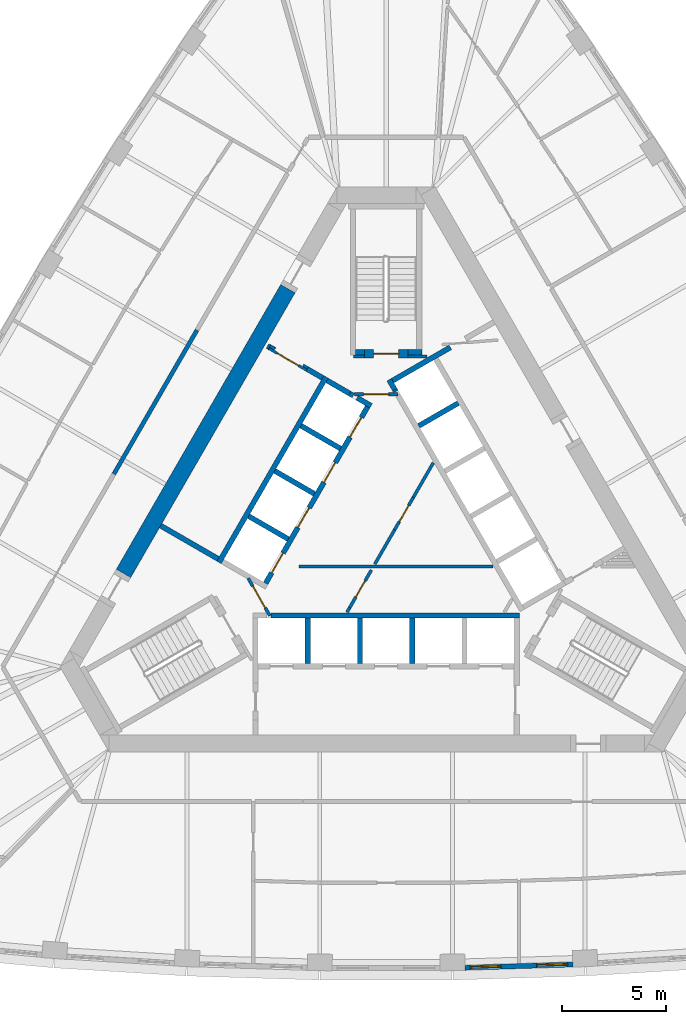
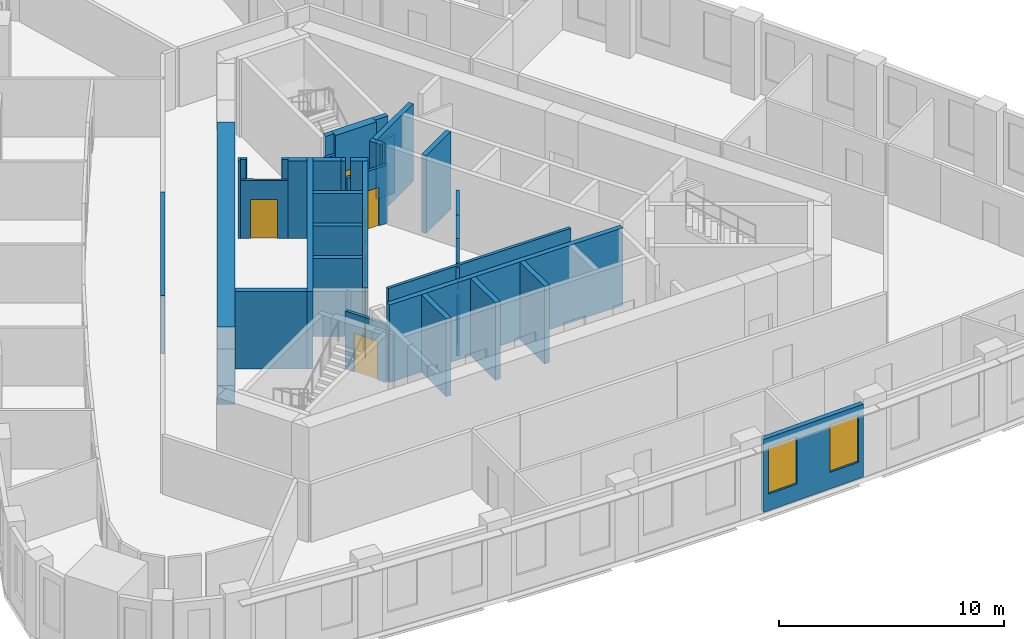
# One storey, part 5 of 11: 38 walls, 10 doors, 2 windows, 12 openings.
"""IFC4 building model written with IfcOpenShell, lengths in metres."""

from ifc_helpers import new_model, si_unit, direction, frame, frame_2d, origin, place, context, subcontext, project, spatial, polyline, rectangle, outline, extrude, material, layer, layer_set, type_object, element, fill, save


model = new_model("IFC4")

# Units and contexts
model_context = context("Model", 3, precision=1e-05, world=origin(), true_north=direction((0.0, 1.0)))
body_context = subcontext(model_context, "Body", "Model", "MODEL_VIEW")
ifc_project = project(units=[si_unit("LENGTHUNIT", "METRE"), si_unit("AREAUNIT", "SQUARE_METRE"), si_unit("VOLUMEUNIT", "CUBIC_METRE"), si_unit("PLANEANGLEUNIT", "RADIAN"), si_unit("MASSUNIT", "GRAM", prefix="KILO")], contexts=[model_context])

# Site, building, storey
site_placement = place(None, origin())
site = spatial("IfcSite", under=ifc_project, at=site_placement, CompositionType="ELEMENT")
building_placement = place(site_placement, origin())
building = spatial("IfcBuilding", under=site, at=building_placement, Name="Mestral Congress Tower", CompositionType="ELEMENT")
storey_placement = place(building_placement, frame((0.0, 0.0, 166.800048828125)))
storey = spatial("IfcBuildingStorey", under=building, at=storey_placement, Name="L39", CompositionType="ELEMENT", Elevation=166.800048828125)

# Walls
ifc_material_1 = material(Name="Fire-rated board partition")
ifc_layer_1 = layer(ifc_material_1, 0.14990234375)
ifc_layer_set_1 = layer_set([ifc_layer_1], Name="Fire-rated board partition")
wall_type_1 = type_object("IfcWallType", Name="Core partition 150", PredefinedType="PARTITIONING", material=ifc_layer_set_1)
wall_1_placement = place(storey_placement, frame((1.050048828125, 8.62548828125, 0.0), z_axis=(0.0, 0.0, 1.0), x_axis=(1.0, 0.0, 0.0)))
element("IfcWall", 1, at=wall_1_placement, inside=storey, type_object=wall_type_1, Name="L39 core wall", PredefinedType="PARTITIONING", context=body_context, shape_type="SweptSolid", body=[
    extrude(rectangle(XDim=0.9287109375, YDim=0.14990234375, at=frame_2d((0.46435546875, 0.0))), origin(), (0.0, 0.0, 1.0), 3.14990234375),
])
wall_2_placement = place(storey_placement, frame((-1.56396484375, 8.62548828125, 0.0), z_axis=(0.0, 0.0, 1.0), x_axis=(1.0, 0.0, 0.0)))
element("IfcWall", 2, at=wall_2_placement, inside=storey, type_object=wall_type_1, Name="L39 core wall", PredefinedType="PARTITIONING", context=body_context, shape_type="SweptSolid", body=[
    extrude(rectangle(XDim=0.513916015625, YDim=0.14990234375, at=frame_2d((0.2568359375, 0.0))), origin(), (0.0, 0.0, 1.0), 3.14990234375),
])
wall_3_placement = place(storey_placement, frame((-4.199951171875, -1.5, 0.0), z_axis=(0.0, 0.0, 1.0), x_axis=(1.0, 0.0, 0.0)))
element("IfcWall", 3, at=wall_3_placement, inside=storey, type_object=wall_type_1, Name="L39 core wall", PredefinedType="PARTITIONING", context=body_context, shape_type="SweptSolid", body=[
    extrude(rectangle(XDim=9.359375, YDim=0.14990234375, at=frame_2d((4.6796875, 0.0))), origin(), (0.0, 0.0, 1.0), 3.14990234375),
])
wall_4_placement = place(storey_placement, frame((-0.54443359375, -1.393310546875, 0.0), z_axis=(0.0, 0.0, 1.0), x_axis=(0.499928740635, 0.866066541489, 0.0)))
element("IfcWall", 4, at=wall_4_placement, inside=storey, type_object=wall_type_1, Name="L39 core wall", PredefinedType="PARTITIONING", context=body_context, shape_type="SweptSolid", body=[
    extrude(rectangle(XDim=1.912353515625, YDim=0.14990234375, at=frame_2d((0.9560546875, 0.0))), origin(), (0.0, 0.0, 1.0), 3.14990234375),
])
wall_5_placement = place(storey_placement, frame((1.311767578125, 1.822021484375, 0.0), z_axis=(0.0, 0.0, 1.0), x_axis=(0.500003549559, 0.866023354436, 0.0)))
element("IfcWall", 5, at=wall_5_placement, inside=storey, type_object=wall_type_1, Name="L39 core wall", PredefinedType="PARTITIONING", context=body_context, shape_type="SweptSolid", body=[
    extrude(rectangle(XDim=1.9296875, YDim=0.14990234375, at=frame_2d((0.96484375, 0.0))), origin(), (0.0, 0.0, 1.0), 3.14990234375),
])
wall_6_placement = place(storey_placement, frame((-1.886962890625, -3.71826171875, 0.0), z_axis=(0.0, 0.0, 1.0), x_axis=(0.500165633897, 0.865929753888, 0.0)))
element("IfcWall", 6, at=wall_6_placement, inside=storey, type_object=wall_type_1, Name="L39 core wall", PredefinedType="PARTITIONING", context=body_context, shape_type="SweptSolid", body=[
    extrude(rectangle(XDim=0.25439453125, YDim=0.14990234375, at=frame_2d((0.127197265625, 0.0))), origin(), (0.0, 0.0, 1.0), 3.14990234375),
])

# Wall, opening, door
wall_7_placement = place(storey_placement, frame((-1.759765625, -3.498046875, 0.0), z_axis=(0.0, 0.0, 1.0), x_axis=(0.499977374825, 0.866038466041, 0.0)))
wall_7 = element("IfcWall", 7, at=wall_7_placement, inside=storey, type_object=wall_type_1, Name="L39 door wall", PredefinedType="PARTITIONING", context=body_context, shape_type="SweptSolid", body=[
    extrude(rectangle(XDim=2.10009765625, YDim=0.14990234375, at=frame_2d((1.050048828125, 0.0))), origin(), (0.0, 0.0, 1.0), 3.14990234375),
])
opening_1_placement = place(wall_7_placement, frame((0.60009765625, 0.0, 0.0)))
opening_1 = element("IfcOpeningElement", 8, at=opening_1_placement, cuts=wall_7, Name="Opening CD1-HUB0", PredefinedType="OPENING", context=body_context, shape_type="SweptSolid", body=[
    extrude(rectangle(XDim=0.89990234375, YDim=2.10009765625, at=frame_2d((0.449951171875, 1.050048828125))), frame((0.0, 0.0849609375, 0.0), z_axis=(0.0, -1.0, 0.0), x_axis=(1.0, 0.0, 0.0)), (0.0, 0.0, 1.0), 0.169921875),
])
ifc_material_2 = material(Name="Fire-rated steel door set", Category="steel")
door_type_1 = type_object("IfcDoorType", Name="Core door CD 900x2100", OperationType="SINGLE_SWING_LEFT", PredefinedType="DOOR", material=ifc_material_2)
door_1_placement = place(opening_1_placement, origin())
door_1 = element("IfcDoor", 9, at=door_1_placement, inside=storey, type_object=door_type_1, Name="Door CD1-HUB0", OperationType="SINGLE_SWING_LEFT", OverallHeight=2.10009765625, OverallWidth=0.89990234375, PredefinedType="DOOR", context=body_context, shape_type="SweptSolid", body=[
    extrude(rectangle(XDim=0.89990234375, YDim=2.10009765625, at=frame_2d((0.449951171875, 1.050048828125))), frame((0.0, 0.02490234375, 0.0), z_axis=(0.0, -1.0, 0.0), x_axis=(1.0, 0.0, 0.0)), (0.0, 0.0, 1.0), 0.050048828125),
])
fill(opening_1, door_1)

wall_8_placement = place(storey_placement, frame((-1.534423828125, 6.800048828125, 0.0), z_axis=(0.0, 0.0, 1.0), x_axis=(1.0, 0.0, 0.0)))
wall_8 = element("IfcWall", 10, at=wall_8_placement, inside=storey, type_object=wall_type_1, Name="L39 door wall", PredefinedType="PARTITIONING", context=body_context, shape_type="SweptSolid", body=[
    extrude(rectangle(XDim=2.099853515625, YDim=0.14990234375, at=frame_2d((1.0498046875, 0.0))), origin(), (0.0, 0.0, 1.0), 3.14990234375),
])
opening_2_placement = place(wall_8_placement, frame((0.449951171875, 0.0, 0.0)))
opening_2 = element("IfcOpeningElement", 11, at=opening_2_placement, cuts=wall_8, Name="Opening CD2-FF", PredefinedType="OPENING", context=body_context, shape_type="SweptSolid", body=[
    extrude(rectangle(XDim=1.199951171875, YDim=2.10009765625, at=frame_2d((0.60009765625, 1.050048828125))), frame((0.0, 0.0849609375, 0.0), z_axis=(0.0, -1.0, 0.0), x_axis=(1.0, 0.0, 0.0)), (0.0, 0.0, 1.0), 0.169921875),
])
door_type_2 = type_object("IfcDoorType", Name="Core door CD 1200x2100", OperationType="SINGLE_SWING_LEFT", PredefinedType="DOOR", material=ifc_material_2)
door_2_placement = place(opening_2_placement, origin())
door_2 = element("IfcDoor", 12, at=door_2_placement, inside=storey, type_object=door_type_2, Name="Door CD2-FF", OperationType="SINGLE_SWING_LEFT", OverallHeight=2.10009765625, OverallWidth=1.199951171875, PredefinedType="DOOR", context=body_context, shape_type="SweptSolid", body=[
    extrude(rectangle(XDim=1.199951171875, YDim=2.10009765625, at=frame_2d((0.60009765625, 1.050048828125))), frame((0.0, 0.02490234375, 0.0), z_axis=(0.0, -1.0, 0.0), x_axis=(1.0, 0.0, 0.0)), (0.0, 0.0, 1.0), 0.050048828125),
])
fill(opening_2, door_2)

wall_9_placement = place(storey_placement, frame((-5.606201171875, -3.8896484375, 0.0), z_axis=(0.0, 0.0, 1.0), x_axis=(-0.500027713859, 0.866009402589, 0.0)))
wall_9 = element("IfcWall", 13, at=wall_9_placement, inside=storey, type_object=wall_type_1, Name="L39 door wall", PredefinedType="PARTITIONING", context=body_context, shape_type="SweptSolid", body=[
    extrude(rectangle(XDim=2.10009765625, YDim=0.14990234375, at=frame_2d((1.050048828125, 0.0))), origin(), (0.0, 0.0, 1.0), 3.14990234375),
])
opening_3_placement = place(wall_9_placement, frame((0.449951171875, 0.0, 0.0)))
opening_3 = element("IfcOpeningElement", 14, at=opening_3_placement, cuts=wall_9, Name="Opening CD3-FF", PredefinedType="OPENING", context=body_context, shape_type="SweptSolid", body=[
    extrude(rectangle(XDim=1.199951171875, YDim=2.10009765625, at=frame_2d((0.60009765625, 1.050048828125))), frame((0.0, 0.0849609375, 0.0), z_axis=(0.0, -1.0, 0.0), x_axis=(1.0, 0.0, 0.0)), (0.0, 0.0, 1.0), 0.169921875),
])
door_3_placement = place(opening_3_placement, origin())
door_3 = element("IfcDoor", 15, at=door_3_placement, inside=storey, type_object=door_type_2, Name="Door CD3-FF", OperationType="SINGLE_SWING_LEFT", OverallHeight=2.10009765625, OverallWidth=1.199951171875, PredefinedType="DOOR", context=body_context, shape_type="SweptSolid", body=[
    extrude(rectangle(XDim=1.199951171875, YDim=2.10009765625, at=frame_2d((0.60009765625, 1.050048828125))), frame((0.0, 0.02490234375, 0.0), z_axis=(0.0, -1.0, 0.0), x_axis=(1.0, 0.0, 0.0)), (0.0, 0.0, 1.0), 0.050048828125),
])
fill(opening_3, door_3)

wall_10_placement = place(storey_placement, frame((0.41162109375, 0.26318359375, 0.0), z_axis=(0.0, 0.0, 1.0), x_axis=(0.500062916607, 0.865989075817, 0.0)))
wall_10 = element("IfcWall", 16, at=wall_10_placement, inside=storey, type_object=wall_type_1, Name="L39 door wall", PredefinedType="PARTITIONING", context=body_context, shape_type="SweptSolid", body=[
    extrude(rectangle(XDim=1.800048828125, YDim=0.14990234375, at=frame_2d((0.89990234375, 0.0))), origin(), (0.0, 0.0, 1.0), 3.14990234375),
])
opening_4_placement = place(wall_10_placement, frame((0.449951171875, 0.0, 0.0)))
opening_4 = element("IfcOpeningElement", 17, at=opening_4_placement, cuts=wall_10, Name="Opening SD-HUB1", PredefinedType="OPENING", context=body_context, shape_type="SweptSolid", body=[
    extrude(rectangle(XDim=0.89990234375, YDim=2.10009765625, at=frame_2d((0.449951171875, 1.050048828125))), frame((0.0, 0.0849609375, 0.0), z_axis=(0.0, -1.0, 0.0), x_axis=(1.0, 0.0, 0.0)), (0.0, 0.0, 1.0), 0.169921875),
])
door_type_3 = type_object("IfcDoorType", Name="Core door SR 900x2100", OperationType="SINGLE_SWING_LEFT", PredefinedType="DOOR", material=ifc_material_2)
door_4_placement = place(opening_4_placement, origin())
door_4 = element("IfcDoor", 18, at=door_4_placement, inside=storey, type_object=door_type_3, Name="Door SD-HUB1", OperationType="SINGLE_SWING_LEFT", OverallHeight=2.10009765625, OverallWidth=0.89990234375, PredefinedType="DOOR", context=body_context, shape_type="SweptSolid", body=[
    extrude(rectangle(XDim=0.89990234375, YDim=2.10009765625, at=frame_2d((0.449951171875, 1.050048828125))), frame((0.0, 0.02490234375, 0.0), z_axis=(0.0, -1.0, 0.0), x_axis=(1.0, 0.0, 0.0)), (0.0, 0.0, 1.0), 0.050048828125),
])
fill(opening_4, door_4)

ifc_layer_2 = layer(ifc_material_1, 0.1201171875)
ifc_layer_set_2 = layer_set([ifc_layer_2], Name="Fire-rated board partition")
wall_type_2 = type_object("IfcWallType", Name="Core partition 150 door-wall 120", PredefinedType="PARTITIONING", material=ifc_layer_set_2)
wall_11_placement = place(storey_placement, frame((-5.65869140625, 9.01171875, 0.0), z_axis=(0.0, 0.0, 1.0), x_axis=(0.866009402589, -0.500027713859, 0.0)))
wall_11 = element("IfcWall", 19, at=wall_11_placement, inside=storey, type_object=wall_type_2, Name="L39 door wall", PredefinedType="PARTITIONING", context=body_context, shape_type="SweptSolid", body=[
    extrude(rectangle(XDim=2.10009765625, YDim=0.1201171875, at=frame_2d((1.050048828125, 0.0))), origin(), (0.0, 0.0, 1.0), 3.14990234375),
])
opening_5_placement = place(wall_11_placement, frame((0.449951171875, 0.0, 0.0)))
opening_5 = element("IfcOpeningElement", 20, at=opening_5_placement, cuts=wall_11, Name="Opening LB2-WL2", PredefinedType="OPENING", context=body_context, shape_type="SweptSolid", body=[
    extrude(rectangle(XDim=1.199951171875, YDim=2.10009765625, at=frame_2d((0.60009765625, 1.050048828125))), frame((0.0, 0.070068359375, 0.0), z_axis=(0.0, -1.0, 0.0), x_axis=(1.0, 0.0, 0.0)), (0.0, 0.0, 1.0), 0.14013671875),
])
door_type_4 = type_object("IfcDoorType", Name="Core door LB 1200x2100", OperationType="SINGLE_SWING_LEFT", PredefinedType="DOOR", material=ifc_material_2)
door_5_placement = place(opening_5_placement, origin())
door_5 = element("IfcDoor", 21, at=door_5_placement, inside=storey, type_object=door_type_4, Name="Door LB2-WL2", OperationType="SINGLE_SWING_LEFT", OverallHeight=2.10009765625, OverallWidth=1.199951171875, PredefinedType="DOOR", context=body_context, shape_type="SweptSolid", body=[
    extrude(rectangle(XDim=1.199951171875, YDim=2.10009765625, at=frame_2d((0.60009765625, 1.050048828125))), frame((0.0, 0.02490234375, 0.0), z_axis=(0.0, -1.0, 0.0), x_axis=(1.0, 0.0, 0.0)), (0.0, 0.0, 1.0), 0.050048828125),
])
fill(opening_5, door_5)

# Wall
ifc_material_3 = material(Name="Concrete C60/75", Category="concrete")
ifc_layer_3 = layer(ifc_material_3, 0.800048828125)
ifc_layer_set_3 = layer_set([ifc_layer_3], Name="Concrete C60/75")
wall_type_3 = type_object("IfcWallType", Name="Core wall RC 800", PredefinedType="SOLIDWALL", material=ifc_layer_set_3)
wall_12_placement = place(storey_placement, frame((-12.668212890625, -1.841796875, 0.0), z_axis=(0.0, 0.0, 1.0), x_axis=(0.500003640647, 0.866023301845, 0.0)))
element("IfcWall", 22, at=wall_12_placement, inside=storey, type_object=wall_type_3, Name="L39 core wall", PredefinedType="SOLIDWALL", context=body_context, shape_type="SweptSolid", body=[
    extrude(rectangle(XDim=15.8583984375, YDim=0.800048828125, at=frame_2d((7.92919921875, 0.0))), origin(), (0.0, 0.0, 1.0), 4.199951171875),
])

# Wall, openings, windows
ifc_material_4 = material(Name="Precast concrete C40/50 with limestone facing", Category="masonry")
ifc_layer_4 = layer(ifc_material_4, 0.239990234375)
ifc_layer_set_4 = layer_set([ifc_layer_4], Name="Precast concrete C40/50 with limestone facing")
wall_type_4 = type_object("IfcWallType", Name="Facade stone wall 240", PredefinedType="SOLIDWALL", material=ifc_layer_set_4)
wall_13_placement = place(storey_placement, frame((3.80615234375, -20.869873046875, 0.0), z_axis=(0.0, 0.0, 1.0), x_axis=(0.999533441983, 0.030543384845, 0.0)))
wall_13 = element("IfcWall", 23, at=wall_13_placement, inside=storey, type_object=wall_type_4, Name="Facade wall F0-04", PredefinedType="SOLIDWALL", context=body_context, shape_type="SweptSolid", body=[
    extrude(rectangle(XDim=5.20361328125, YDim=0.239990234375, at=frame_2d((2.601806640625, 0.0))), origin(), (0.0, 0.0, 1.0), 3.949951171875),
])
opening_6_placement = place(wall_13_placement, frame((0.248291015625, 0.0, 0.89990234375)))
opening_6 = element("IfcOpeningElement", 24, at=opening_6_placement, cuts=wall_13, Name="Opening W4", PredefinedType="OPENING", context=body_context, shape_type="SweptSolid", body=[
    extrude(rectangle(XDim=1.5, YDim=2.550048828125, at=frame_2d((0.75, 1.27490234375))), frame((0.0, 0.1298828125, 0.0), z_axis=(0.0, -1.0, 0.0), x_axis=(1.0, 0.0, 0.0)), (0.0, 0.0, 1.0), 0.260009765625),
])
opening_7_placement = place(wall_13_placement, frame((3.455078125, 0.0, 0.89990234375)))
opening_7 = element("IfcOpeningElement", 25, at=opening_7_placement, cuts=wall_13, Name="Opening W4", PredefinedType="OPENING", context=body_context, shape_type="SweptSolid", body=[
    extrude(rectangle(XDim=1.5, YDim=2.550048828125, at=frame_2d((0.75, 1.27490234375))), frame((0.0, 0.1298828125, 0.0), z_axis=(0.0, -1.0, 0.0), x_axis=(1.0, 0.0, 0.0)), (0.0, 0.0, 1.0), 0.260009765625),
])
ifc_material_5 = material(Name="Clear low-emissivity double glazing", Category="glass")
window_type = type_object("IfcWindowType", Name="Facade punched window 1500 x 2550 sill 900", PartitioningType="SINGLE_PANEL", PredefinedType="WINDOW", material=ifc_material_5)
window_1_placement = place(opening_6_placement, origin())
window_1 = element("IfcWindow", 26, at=window_1_placement, inside=storey, type_object=window_type, Name="Window F0-04a", OverallHeight=2.550048828125, OverallWidth=1.5, PartitioningType="SINGLE_PANEL", PredefinedType="WINDOW", context=body_context, shape_type="SweptSolid", body=[
    extrude(rectangle(XDim=1.5, YDim=2.550048828125, at=frame_2d((0.75, 1.27490234375))), frame((0.0, 0.0400390625, 0.0), z_axis=(0.0, -1.0, 0.0), x_axis=(1.0, 0.0, 0.0)), (0.0, 0.0, 1.0), 0.06005859375),
])
fill(opening_6, window_1)
window_2_placement = place(opening_7_placement, origin())
window_2 = element("IfcWindow", 27, at=window_2_placement, inside=storey, type_object=window_type, Name="Window F0-04b", OverallHeight=2.550048828125, OverallWidth=1.5, PartitioningType="SINGLE_PANEL", PredefinedType="WINDOW", context=body_context, shape_type="SweptSolid", body=[
    extrude(rectangle(XDim=1.5, YDim=2.550048828125, at=frame_2d((0.75, 1.27490234375))), frame((0.0, 0.0400390625, 0.0), z_axis=(0.0, -1.0, 0.0), x_axis=(1.0, 0.0, 0.0)), (0.0, 0.0, 1.0), 0.06005859375),
])
fill(opening_7, window_2)

# Walls
ifc_material_6 = material(Name="Dense masonry wall, plastered", Category="masonry")
ifc_layer_5 = layer(ifc_material_6, 0.199951171875)
ifc_layer_set_5 = layer_set([ifc_layer_5], Name="Dense masonry wall, plastered")
wall_type_5 = type_object("IfcWallType", Name="Office tenancy wall 200", PredefinedType="PARTITIONING", material=ifc_layer_set_5)
wall_14_placement = place(storey_placement, frame((-9.12646484375, 9.892578125, 0.0), z_axis=(0.0, 0.0, 1.0), x_axis=(-0.499995158272, -0.866028199139, 0.0)))
element("IfcWall", 28, at=wall_14_placement, inside=storey, type_object=wall_type_5, Name="Tenancy wall", PredefinedType="PARTITIONING", context=body_context, shape_type="SweptSolid", body=[
    extrude(rectangle(XDim=8.0078125, YDim=0.199951171875, at=frame_2d((4.00390625, 0.0))), origin(), (0.0, 0.0, 1.0), 3.14990234375),
])
ifc_layer_6 = layer(ifc_material_3, 0.25)
ifc_layer_set_6 = layer_set([ifc_layer_6], Name="Concrete C60/75")
wall_type_6 = type_object("IfcWallType", Name="Shaft wall RC 250", PredefinedType="SOLIDWALL", material=ifc_layer_set_6)
wall_15_placement = place(storey_placement, frame((-5.544921875, -3.875, 0.0), z_axis=(0.0, 0.0, 1.0), x_axis=(1.0, 0.0, 0.0)))
element("IfcWall", 29, at=wall_15_placement, inside=storey, type_object=wall_type_6, Name="L39 core wall", PredefinedType="SOLIDWALL", context=body_context, shape_type="SweptSolid", body=[
    extrude(rectangle(XDim=11.969970703125, YDim=0.25, at=frame_2d((5.98486328125, 0.0))), origin(), (0.0, 0.0, 1.0), 4.199951171875),
])
for number, where, z_axis, x_axis, name in (
    (30, (1.260009765625, -4.0, 0.0), (0.0, 0.0, 1.0), (0.0, -1.0, 0.0), "L39 core wall"),
    (31, (-1.260009765625, -4.0, 0.0), (0.0, 0.0, 1.0), (0.0, -1.0, 0.0), "L39 core wall"),
    (32, (-3.780029296875, -4.0, 0.0), (0.0, 0.0, 1.0), (0.0, -1.0, 0.0), "L39 core wall"),
):
    element("IfcWall", number, at=place(storey_placement, frame(where, z_axis=z_axis, x_axis=x_axis)), inside=storey, type_object=wall_type_6, Name=name, PredefinedType="SOLIDWALL", context=body_context, shape_type="SweptSolid", body=[
        extrude(rectangle(XDim=2.199951171875, YDim=0.25, at=frame_2d((1.10009765625, 0.0))), origin(), (0.0, 0.0, 1.0), 4.199951171875),
    ])
wall_16_placement = place(storey_placement, frame((0.473388671875, 6.93017578125, 0.0), z_axis=(0.0, 0.0, 1.0), x_axis=(-0.49972245349, 0.866185586049, 0.0)))
element("IfcWall", 33, at=wall_16_placement, inside=storey, type_object=wall_type_6, Name="L39 core wall", PredefinedType="SOLIDWALL", context=body_context, shape_type="SweptSolid", body=[
    extrude(rectangle(XDim=0.10986328125, YDim=0.25, at=frame_2d((0.054931640625, 0.0))), origin(), (0.0, 0.0, 1.0), 4.199951171875),
])
wall_17_placement = place(storey_placement, frame((0.41748046875, 7.027099609375, 0.0), z_axis=(0.0, 0.0, 1.0), x_axis=(-0.500210807569, 0.865903659763, 0.0)))
element("IfcWall", 34, at=wall_17_placement, inside=storey, type_object=wall_type_6, Name="L39 core wall", PredefinedType="SOLIDWALL", context=body_context, shape_type="SweptSolid", body=[
    extrude(rectangle(XDim=0.548095703125, YDim=0.25, at=frame_2d((0.27392578125, 0.0))), origin(), (0.0, 0.0, 1.0), 4.199951171875),
])
wall_18_placement = place(storey_placement, frame((3.10009765625, 9.064453125, 0.0), z_axis=(0.0, 0.0, 1.0), x_axis=(-0.866030133475, -0.499991807846, 0.0)))
element("IfcWall", 35, at=wall_18_placement, inside=storey, type_object=wall_type_6, Name="L39 core wall", PredefinedType="SOLIDWALL", context=body_context, shape_type="SweptSolid", body=[
    extrude(rectangle(XDim=3.216796875, YDim=0.25, at=frame_2d((1.6083984375, 0.0))), origin(), (0.0, 0.0, 1.0), 4.199951171875),
])
wall_19_placement = place(storey_placement, frame((1.57421875, 5.273681640625, 0.0), z_axis=(0.0, 0.0, 1.0), x_axis=(0.866028486751, 0.499994660107, 0.0)))
element("IfcWall", 36, at=wall_19_placement, inside=storey, type_object=wall_type_6, Name="L39 core wall", PredefinedType="SOLIDWALL", context=body_context, shape_type="SweptSolid", body=[
    extrude(rectangle(XDim=2.19970703125, YDim=0.25, at=frame_2d((1.099853515625, 0.0))), origin(), (0.0, 0.0, 1.0), 4.199951171875),
])
wall_20_placement = place(storey_placement, frame((-8.06005859375, -1.310546875, 0.0), z_axis=(0.0, 0.0, 1.0), x_axis=(0.50000273126, 0.866023826885, 0.0)))
element("IfcWall", 37, at=wall_20_placement, inside=storey, type_object=wall_type_6, Name="L39 core wall", PredefinedType="SOLIDWALL", context=body_context, shape_type="SweptSolid", body=[
    extrude(rectangle(XDim=10.330078125, YDim=0.25, at=frame_2d((5.1650390625, 0.0))), origin(), (0.0, 0.0, 1.0), 4.199951171875),
])
wall_21_placement = place(storey_placement, frame((-1.75830078125, 6.834716796875, 0.0), z_axis=(0.0, 0.0, 1.0), x_axis=(0.865982457891, -0.500074377092, 0.0)))
element("IfcWall", 38, at=wall_21_placement, inside=storey, type_object=wall_type_6, Name="L39 core wall", PredefinedType="SOLIDWALL", context=body_context, shape_type="SweptSolid", body=[
    extrude(rectangle(XDim=0.2001953125, YDim=0.25, at=frame_2d((0.10009765625, 0.0))), origin(), (0.0, 0.0, 1.0), 4.199951171875),
])
wall_22_placement = place(storey_placement, frame((-1.760009765625, 6.835693359375, 0.0), z_axis=(0.0, 0.0, 1.0), x_axis=(-0.865952863304, 0.500125622755, 0.0)))
element("IfcWall", 39, at=wall_22_placement, inside=storey, type_object=wall_type_6, Name="L39 core wall", PredefinedType="SOLIDWALL", context=body_context, shape_type="SweptSolid", body=[
    extrude(rectangle(XDim=1.258056640625, YDim=0.25, at=frame_2d((0.62890625, 0.0))), origin(), (0.0, 0.0, 1.0), 4.199951171875),
])
wall_23_placement = place(storey_placement, frame((-0.7275390625, 6.23974609375, 0.0), z_axis=(0.0, 0.0, 1.0), x_axis=(-0.865955664968, 0.500120771724, 0.0)))
element("IfcWall", 40, at=wall_23_placement, inside=storey, type_object=wall_type_6, Name="L39 core wall", PredefinedType="SOLIDWALL", context=body_context, shape_type="SweptSolid", body=[
    extrude(rectangle(XDim=0.778076171875, YDim=0.25, at=frame_2d((0.38916015625, 0.0))), origin(), (0.0, 0.0, 1.0), 4.199951171875),
])
for number, where, z_axis, x_axis, name in (
    (41, (-2.2041015625, 4.182373046875, 0.0), (0.0, 0.0, 1.0), (-0.866008176907, 0.50002983664, 0.0), "L39 core wall"),
    (42, (-5.369384765625, 3.10009765625, 0.0), (0.0, 0.0, 1.0), (0.866008176907, -0.50002983664, 0.0), "L39 core wall"),
    (43, (-4.72412109375, -0.182373046875, 0.0), (0.0, 0.0, 1.0), (-0.866008176907, 0.50002983664, 0.0), "L39 core wall"),
):
    element("IfcWall", number, at=place(storey_placement, frame(where, z_axis=z_axis, x_axis=x_axis)), inside=storey, type_object=wall_type_6, Name=name, PredefinedType="SOLIDWALL", context=body_context, shape_type="SweptSolid", body=[
        extrude(rectangle(XDim=2.199951171875, YDim=0.25, at=frame_2d((1.10009765625, 0.0))), origin(), (0.0, 0.0, 1.0), 4.199951171875),
    ])
wall_24_placement = place(storey_placement, frame((-8.10595703125, -1.139892578125, 0.0), z_axis=(0.0, 0.0, 1.0), x_axis=(-0.866008981251, 0.500028443584, 0.0)))
element("IfcWall", 44, at=wall_24_placement, inside=storey, type_object=wall_type_6, Name="L39 core wall", PredefinedType="SOLIDWALL", context=body_context, shape_type="SweptSolid", body=[
    extrude(rectangle(XDim=3.199951171875, YDim=0.25, at=frame_2d((1.60009765625, 0.0))), origin(), (0.0, 0.0, 1.0), 4.199951171875),
])
wall_25_placement = place(storey_placement, frame((-5.724609375, 9.124755859375, 0.0), z_axis=(0.0, 0.0, 1.0), x_axis=(0.866185586049, -0.49972245349, 0.0)))
element("IfcWall", 45, at=wall_25_placement, inside=storey, type_object=wall_type_6, Name="L39 core wall", PredefinedType="SOLIDWALL", context=body_context, shape_type="SweptSolid", body=[
    extrude(rectangle(XDim=0.10986328125, YDim=0.25, at=frame_2d((0.054931640625, 0.0))), origin(), (0.0, 0.0, 1.0), 4.199951171875),
])
wall_26_placement = place(storey_placement, frame((-3.06591796875, 7.58984375, 0.0), z_axis=(0.0, 0.0, 1.0), x_axis=(-0.866081358704, 0.49990307071, 0.0)))
element("IfcWall", 46, at=wall_26_placement, inside=storey, type_object=wall_type_6, Name="L39 core wall", PredefinedType="SOLIDWALL", context=body_context, shape_type="SweptSolid", body=[
    extrude(rectangle(XDim=0.858154296875, YDim=0.25, at=frame_2d((0.42919921875, 0.0))), origin(), (0.0, 0.0, 1.0), 4.199951171875),
])
placement = place(storey_placement, origin())
element("IfcWall", 47, at=placement, inside=storey, type_object=wall_type_6, Name="L39 core wall", PredefinedType="SOLIDWALL", context=body_context, shape_type="SweptSolid", body=[
    extrude(outline(polyline([(-3.748291015625, 8.1279296875), (-3.813232421875, 8.015380859375), (-4.026611328125, 8.138671875), (-4.0166015625, 8.156005859375), (-4.007568359375, 8.17333984375), (-4.000244140625, 8.191650390625), (-3.994873046875, 8.21044921875), (-3.991455078125, 8.229736328125), (-3.98974609375, 8.24951171875), (-3.989990234375, 8.267578125), (-3.748291015625, 8.1279296875)])), origin(), (0.0, 0.0, 1.0), 4.199951171875),
])
element("IfcWall", 48, at=placement, inside=storey, type_object=wall_type_6, Name="L39 core wall", PredefinedType="SOLIDWALL", context=body_context, shape_type="SweptSolid", body=[
    extrude(outline(polyline([(-5.688720703125, 8.959716796875), (-5.690185546875, 8.960693359375), (-5.565185546875, 9.177001953125), (-5.318603515625, 9.03466796875), (-5.334716796875, 9.02587890625), (-5.3505859375, 9.0146484375), (-5.36572265625, 9.001953125), (-5.37939453125, 8.98779296875), (-5.3916015625, 8.972412109375), (-5.402099609375, 8.955810546875), (-5.412109375, 8.938720703125), (-5.628662109375, 9.063720703125), (-5.628662109375, 9.063720703125), (-5.688720703125, 8.959716796875)])), origin(), (0.0, 0.0, 1.0), 4.199951171875),
])

# Wall, openings, doors
wall_29_placement = place(storey_placement, frame((-0.898193359375, 6.194091796875, 0.0), z_axis=(0.0, 0.0, 1.0), x_axis=(-0.499996202215, -0.866027596426, 0.0)))
wall_29 = element("IfcWall", 49, at=wall_29_placement, inside=storey, type_object=wall_type_6, Name="L39 door wall", PredefinedType="SOLIDWALL", context=body_context, shape_type="SweptSolid", body=[
    extrude(rectangle(XDim=9.830078125, YDim=0.25, at=frame_2d((4.9150390625, 0.0))), origin(), (0.0, 0.0, 1.0), 4.199951171875),
])
opening_8_placement = place(wall_29_placement, frame((0.5849609375, 0.0, 0.0)))
opening_8 = element("IfcOpeningElement", 50, at=opening_8_placement, cuts=wall_29, Name="Opening LD-NWB1", PredefinedType="OPENING", context=body_context, shape_type="SweptSolid", body=[
    extrude(rectangle(XDim=1.10009765625, YDim=2.10009765625, at=frame_2d((0.550048828125, 1.050048828125))), frame((0.0, 0.135009765625, 0.0), z_axis=(0.0, -1.0, 0.0), x_axis=(1.0, 0.0, 0.0)), (0.0, 0.0, 1.0), 0.27001953125),
])
opening_9_placement = place(wall_29_placement, frame((3.10498046875, 0.0, 0.0)))
opening_9 = element("IfcOpeningElement", 51, at=opening_9_placement, cuts=wall_29, Name="Opening LD-NWB2", PredefinedType="OPENING", context=body_context, shape_type="SweptSolid", body=[
    extrude(rectangle(XDim=1.10009765625, YDim=2.10009765625, at=frame_2d((0.550048828125, 1.050048828125))), frame((0.0, 0.135009765625, 0.0), z_axis=(0.0, -1.0, 0.0), x_axis=(1.0, 0.0, 0.0)), (0.0, 0.0, 1.0), 0.27001953125),
])
opening_10_placement = place(wall_29_placement, frame((5.625, 0.0, 0.0)))
opening_10 = element("IfcOpeningElement", 52, at=opening_10_placement, cuts=wall_29, Name="Opening LD-NWB3", PredefinedType="OPENING", context=body_context, shape_type="SweptSolid", body=[
    extrude(rectangle(XDim=1.10009765625, YDim=2.10009765625, at=frame_2d((0.550048828125, 1.050048828125))), frame((0.0, 0.135009765625, 0.0), z_axis=(0.0, -1.0, 0.0), x_axis=(1.0, 0.0, 0.0)), (0.0, 0.0, 1.0), 0.27001953125),
])
opening_11_placement = place(wall_29_placement, frame((8.14501953125, 0.0, 0.0)))
opening_11 = element("IfcOpeningElement", 53, at=opening_11_placement, cuts=wall_29, Name="Opening LD-NWB4", PredefinedType="OPENING", context=body_context, shape_type="SweptSolid", body=[
    extrude(rectangle(XDim=1.10009765625, YDim=2.10009765625, at=frame_2d((0.550048828125, 1.050048828125))), frame((0.0, 0.135009765625, 0.0), z_axis=(0.0, -1.0, 0.0), x_axis=(1.0, 0.0, 0.0)), (0.0, 0.0, 1.0), 0.27001953125),
])
door_type_5 = type_object("IfcDoorType", Name="Core door LD 1100x2100", OperationType="DOUBLE_DOOR_SLIDING", PredefinedType="DOOR", material=ifc_material_2)
door_6_placement = place(opening_8_placement, origin())
door_6 = element("IfcDoor", 54, at=door_6_placement, inside=storey, type_object=door_type_5, Name="Door LD-NWB1", OperationType="DOUBLE_DOOR_SLIDING", OverallHeight=2.10009765625, OverallWidth=1.10009765625, PredefinedType="DOOR", context=body_context, shape_type="SweptSolid", body=[
    extrude(rectangle(XDim=1.10009765625, YDim=2.10009765625, at=frame_2d((0.550048828125, 1.050048828125))), frame((0.0, 0.02490234375, 0.0), z_axis=(0.0, -1.0, 0.0), x_axis=(1.0, 0.0, 0.0)), (0.0, 0.0, 1.0), 0.050048828125),
])
fill(opening_8, door_6)
door_7_placement = place(opening_9_placement, origin())
door_7 = element("IfcDoor", 55, at=door_7_placement, inside=storey, type_object=door_type_5, Name="Door LD-NWB2", OperationType="DOUBLE_DOOR_SLIDING", OverallHeight=2.10009765625, OverallWidth=1.10009765625, PredefinedType="DOOR", context=body_context, shape_type="SweptSolid", body=[
    extrude(rectangle(XDim=1.10009765625, YDim=2.10009765625, at=frame_2d((0.550048828125, 1.050048828125))), frame((0.0, 0.02490234375, 0.0), z_axis=(0.0, -1.0, 0.0), x_axis=(1.0, 0.0, 0.0)), (0.0, 0.0, 1.0), 0.050048828125),
])
fill(opening_9, door_7)
door_8_placement = place(opening_10_placement, origin())
door_8 = element("IfcDoor", 56, at=door_8_placement, inside=storey, type_object=door_type_5, Name="Door LD-NWB3", OperationType="DOUBLE_DOOR_SLIDING", OverallHeight=2.10009765625, OverallWidth=1.10009765625, PredefinedType="DOOR", context=body_context, shape_type="SweptSolid", body=[
    extrude(rectangle(XDim=1.10009765625, YDim=2.10009765625, at=frame_2d((0.550048828125, 1.050048828125))), frame((0.0, 0.02490234375, 0.0), z_axis=(0.0, -1.0, 0.0), x_axis=(1.0, 0.0, 0.0)), (0.0, 0.0, 1.0), 0.050048828125),
])
fill(opening_10, door_8)
door_9_placement = place(opening_11_placement, origin())
door_9 = element("IfcDoor", 57, at=door_9_placement, inside=storey, type_object=door_type_5, Name="Door LD-NWB4", OperationType="DOUBLE_DOOR_SLIDING", OverallHeight=2.10009765625, OverallWidth=1.10009765625, PredefinedType="DOOR", context=body_context, shape_type="SweptSolid", body=[
    extrude(rectangle(XDim=1.10009765625, YDim=2.10009765625, at=frame_2d((0.550048828125, 1.050048828125))), frame((0.0, 0.02490234375, 0.0), z_axis=(0.0, -1.0, 0.0), x_axis=(1.0, 0.0, 0.0)), (0.0, 0.0, 1.0), 0.050048828125),
])
fill(opening_11, door_9)

# Walls
ifc_layer_7 = layer(ifc_material_3, 0.25)
ifc_layer_set_7 = layer_set([ifc_layer_7], Name="Concrete C60/75")
wall_type_7 = type_object("IfcWallType", Name="Stair wall RC 250", PredefinedType="SOLIDWALL", material=ifc_layer_set_7)
wall_30_placement = place(storey_placement, frame((1.050048828125, 8.824951171875, 0.0), z_axis=(0.0, 0.0, 1.0), x_axis=(1.0, 0.0, 0.0)))
element("IfcWall", 58, at=wall_30_placement, inside=storey, type_object=wall_type_7, Name="L39 core wall", PredefinedType="SOLIDWALL", context=body_context, shape_type="SweptSolid", body=[
    extrude(rectangle(XDim=0.675048828125, YDim=0.25, at=frame_2d((0.33740234375, 0.0))), origin(), (0.0, 0.0, 1.0), 4.199951171875),
])
wall_31_placement = place(storey_placement, frame((-1.47509765625, 8.824951171875, 0.0), z_axis=(0.0, 0.0, 1.0), x_axis=(1.0, 0.0, 0.0)))
element("IfcWall", 59, at=wall_31_placement, inside=storey, type_object=wall_type_7, Name="L39 core wall", PredefinedType="SOLIDWALL", context=body_context, shape_type="SweptSolid", body=[
    extrude(rectangle(XDim=0.425048828125, YDim=0.25, at=frame_2d((0.21240234375, 0.0))), origin(), (0.0, 0.0, 1.0), 4.199951171875),
])

# Wall, opening, door
ifc_layer_8 = layer(ifc_material_3, 0.39990234375)
ifc_layer_set_8 = layer_set([ifc_layer_8], Name="Concrete C60/75")
wall_type_8 = type_object("IfcWallType", Name="Stair wall RC 250 door-wall 400", PredefinedType="SOLIDWALL", material=ifc_layer_set_8)
wall_32_placement = place(storey_placement, frame((1.050048828125, 8.75, 0.0), z_axis=(0.0, 0.0, 1.0), x_axis=(-1.0, 0.0, 0.0)))
wall_32 = element("IfcWall", 60, at=wall_32_placement, inside=storey, type_object=wall_type_8, Name="L39 door wall", PredefinedType="SOLIDWALL", context=body_context, shape_type="SweptSolid", body=[
    extrude(rectangle(XDim=2.10009765625, YDim=0.39990234375, at=frame_2d((1.050048828125, 0.0))), origin(), (0.0, 0.0, 1.0), 4.199951171875),
])
opening_12_placement = place(wall_32_placement, frame((0.449951171875, 0.0, 0.0)))
opening_12 = element("IfcOpeningElement", 61, at=opening_12_placement, cuts=wall_32, Name="Opening ST-D2", PredefinedType="OPENING", context=body_context, shape_type="SweptSolid", body=[
    extrude(rectangle(XDim=1.199951171875, YDim=2.10009765625, at=frame_2d((0.60009765625, 1.050048828125))), frame((0.0, 0.2099609375, 0.0), z_axis=(0.0, -1.0, 0.0), x_axis=(1.0, 0.0, 0.0)), (0.0, 0.0, 1.0), 0.419921875),
])
door_type_6 = type_object("IfcDoorType", Name="Core door ST 1200x2100", OperationType="SINGLE_SWING_LEFT", PredefinedType="DOOR", material=ifc_material_2)
door_10_placement = place(opening_12_placement, origin())
door_10 = element("IfcDoor", 62, at=door_10_placement, inside=storey, type_object=door_type_6, Name="Door ST-D2", OperationType="SINGLE_SWING_LEFT", OverallHeight=2.10009765625, OverallWidth=1.199951171875, PredefinedType="DOOR", context=body_context, shape_type="SweptSolid", body=[
    extrude(rectangle(XDim=1.199951171875, YDim=2.10009765625, at=frame_2d((0.60009765625, 1.050048828125))), frame((0.0, 0.02490234375, 0.0), z_axis=(0.0, -1.0, 0.0), x_axis=(1.0, 0.0, 0.0)), (0.0, 0.0, 1.0), 0.050048828125),
])
fill(opening_12, door_10)

save(model, "model.ifc")
